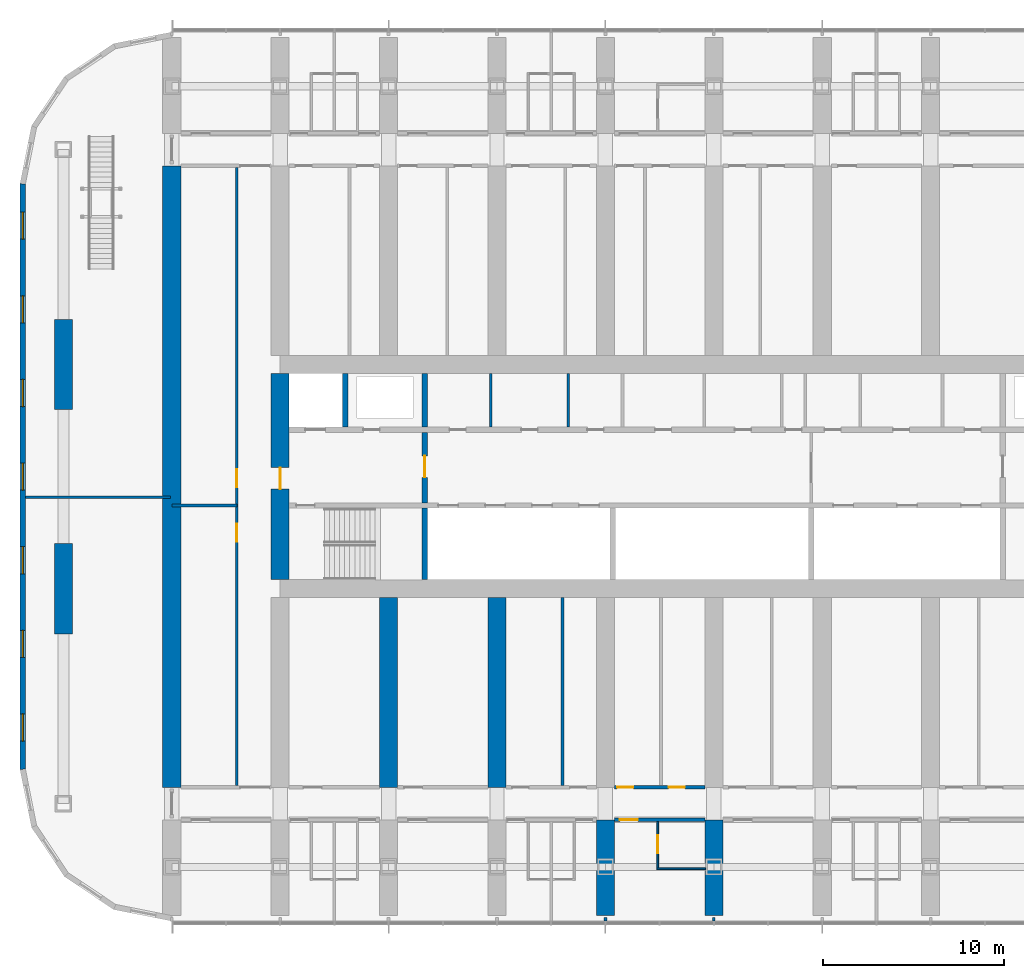
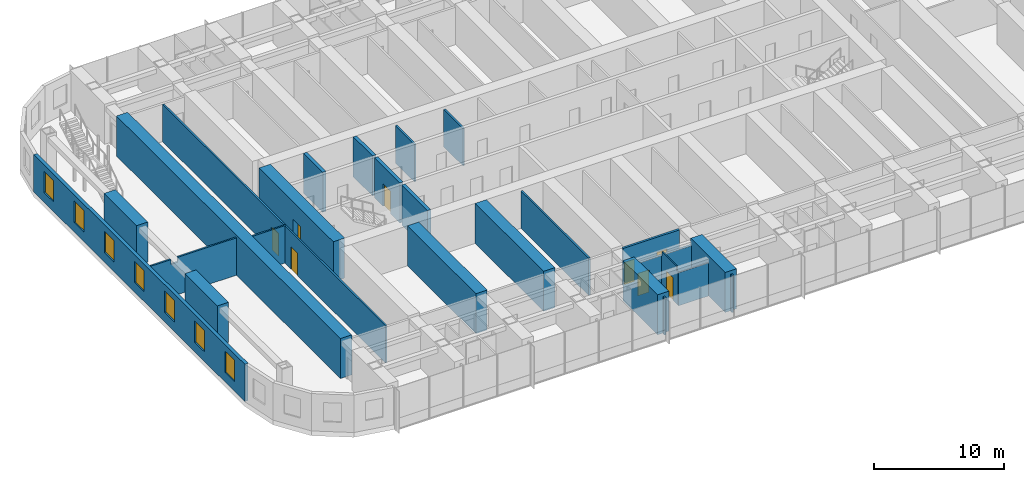
# One storey, part 13 of 26: 25 walls, 8 doors, 7 windows, 15 openings.
"""IFC4 building model written with IfcOpenShell, lengths in metres."""

from ifc_helpers import new_model, si_unit, direction, frame, frame_2d, origin, place, context, subcontext, project, spatial, polyline, rectangle, outline, extrude, material, layer, layer_set, type_object, element, fill, save


model = new_model("IFC4")

# Units and contexts
model_context = context("Model", 3, precision=1e-05, world=origin(), true_north=direction((0.0, 1.0)))
body_context = subcontext(model_context, "Body", "Model", "MODEL_VIEW")
ifc_project = project(units=[si_unit("LENGTHUNIT", "METRE"), si_unit("AREAUNIT", "SQUARE_METRE"), si_unit("VOLUMEUNIT", "CUBIC_METRE"), si_unit("PLANEANGLEUNIT", "RADIAN"), si_unit("MASSUNIT", "GRAM", prefix="KILO")], contexts=[model_context])

# Site, building, storey
site_placement = place(None, origin())
site = spatial("IfcSite", under=ifc_project, at=site_placement, CompositionType="ELEMENT")
building_placement = place(site_placement, origin())
building = spatial("IfcBuilding", under=site, at=building_placement, Name="Orbita Commons", CompositionType="ELEMENT")
storey_placement = place(building_placement, frame((0.0, 0.0, 53.949951171875)))
storey = spatial("IfcBuildingStorey", under=building, at=storey_placement, Name="L13", CompositionType="ELEMENT", Elevation=53.949951171875)

# Wall
ifc_material_1 = material(Name="Concrete C50/60", Category="concrete")
ifc_layer_1 = layer(ifc_material_1, 0.300048828125)
ifc_layer_set_1 = layer_set([ifc_layer_1], Name="Concrete C50/60")
wall_type_1 = type_object("IfcWallType", Name="Core inner wall 300 C50/60", PredefinedType="SHEAR", material=ifc_layer_set_1)
wall_1_placement = place(storey_placement, frame((26.0, 26.300048828125, 0.0), z_axis=(0.0, 0.0, 1.0), x_axis=(0.0, 1.0, 0.0)))
element("IfcWall", 1, at=wall_1_placement, inside=storey, type_object=wall_type_1, Name="Stair S1 wall L13", PredefinedType="SHEAR", context=body_context, shape_type="SweptSolid", body=[
    extrude(rectangle(XDim=3.949951171875, YDim=0.300048828125, at=frame_2d((1.97509765625, 0.0))), origin(), (0.0, 0.0, 1.0), 3.75),
])

# Wall, opening, door
wall_2_placement = place(storey_placement, frame((26.0, 30.550048828125, 0.0), z_axis=(0.0, 0.0, 1.0), x_axis=(0.0, 1.0, 0.0)))
wall_2 = element("IfcWall", 2, at=wall_2_placement, inside=storey, type_object=wall_type_1, Name="Firefighting lobby wall west L13", PredefinedType="SHEAR", context=body_context, shape_type="SweptSolid", body=[
    extrude(rectangle(XDim=3.89990234375, YDim=0.300048828125, at=frame_2d((1.949951171875, 0.0))), origin(), (0.0, 0.0, 1.0), 3.75),
])
opening_1_placement = place(wall_2_placement, frame((1.39990234375, 0.0, 0.0)))
opening_1 = element("IfcOpeningElement", 3, at=opening_1_placement, cuts=wall_2, Name="Opening D04", PredefinedType="OPENING", context=body_context, shape_type="SweptSolid", body=[
    extrude(rectangle(XDim=1.199951171875, YDim=2.10009765625, at=frame_2d((0.60009765625, 1.050048828125))), frame((0.0, 0.159912109375, 0.0), z_axis=(0.0, -1.0, 0.0), x_axis=(1.0, 0.0, 0.0)), (0.0, 0.0, 1.0), 0.320068359375),
])
ifc_material_2 = material(Name="Steel-faced fire door leaf", Category="steel")
door_type_1 = type_object("IfcDoorType", Name="Service door 20 min 1200x2100", OperationType="SINGLE_SWING_LEFT", PredefinedType="DOOR", material=ifc_material_2)
door_1_placement = place(opening_1_placement, origin())
door_1 = element("IfcDoor", 4, at=door_1_placement, inside=storey, type_object=door_type_1, Name="Lift lobby door west", OperationType="SINGLE_SWING_LEFT", OverallHeight=2.10009765625, OverallWidth=1.199951171875, PredefinedType="DOOR", context=body_context, shape_type="SweptSolid", body=[
    extrude(rectangle(XDim=1.199951171875, YDim=2.10009765625, at=frame_2d((0.60009765625, 1.050048828125))), frame((0.0, 0.02490234375, 0.0), z_axis=(0.0, -1.0, 0.0), x_axis=(1.0, 0.0, 0.0)), (0.0, 0.0, 1.0), 0.050048828125),
])
fill(opening_1, door_1)

# Walls
for number, where, z_axis, x_axis, name in (
    (5, (21.60009765625, 34.75, 0.0), (0.0, 0.0, 1.0), (0.0, 1.0, 0.0), "Firefighting lift FL1 shaft wall L13"),
    (6, (26.0, 34.75, 0.0), (0.0, 0.0, 1.0), (0.0, 1.0, 0.0), "Riser wall west L13"),
):
    element("IfcWall", number, at=place(storey_placement, frame(where, z_axis=z_axis, x_axis=x_axis)), inside=storey, type_object=wall_type_1, Name=name, PredefinedType="SHEAR", context=body_context, shape_type="SweptSolid", body=[
        extrude(rectangle(XDim=2.949951171875, YDim=0.300048828125, at=frame_2d((1.47509765625, 0.0))), origin(), (0.0, 0.0, 1.0), 3.75),
    ])
ifc_material_3 = material(Name="Concrete blockwork", Category="masonry")
ifc_layer_2 = layer(ifc_material_3, 0.14990234375)
ifc_layer_set_2 = layer_set([ifc_layer_2], Name="Concrete blockwork")
wall_type_2 = type_object("IfcWallType", Name="Core partition 150 blockwork", PredefinedType="SOLIDWALL", material=ifc_layer_set_2)
for number, where, z_axis, x_axis, name in (
    (7, (29.65087890625, 34.75, 0.0), (0.0, 0.0, 1.0), (0.0, 1.0, 0.0), "Core partition 150 blockwork L13"),
    (8, (33.9462890625, 34.75, 0.0), (0.0, 0.0, 1.0), (0.0, 1.0, 0.0), "Core partition 150 blockwork L13"),
):
    element("IfcWall", number, at=place(storey_placement, frame(where, z_axis=z_axis, x_axis=x_axis)), inside=storey, type_object=wall_type_2, Name=name, PredefinedType="SOLIDWALL", context=body_context, shape_type="SweptSolid", body=[
        extrude(rectangle(XDim=2.949951171875, YDim=0.14990234375, at=frame_2d((1.47509765625, 0.0))), origin(), (0.0, 0.0, 1.0), 3.5),
    ])

# Wall, opening, door
ifc_material_4 = material(Name="Concrete C50/60", Category="concrete")
ifc_layer_3 = layer(ifc_material_4, 1.0)
ifc_layer_set_3 = layer_set([ifc_layer_3], Name="Concrete C50/60")
wall_type_3 = type_object("IfcWallType", Name="Core wall 1000 C50/60", PredefinedType="SHEAR", material=ifc_layer_set_3)
wall_3_placement = place(storey_placement, frame((18.0, 26.300048828125, 0.0), z_axis=(0.0, 0.0, 1.0), x_axis=(0.0, 1.0, 0.0)))
wall_3 = element("IfcWall", 9, at=wall_3_placement, inside=storey, type_object=wall_type_3, Name="Core end wall west L13", PredefinedType="SHEAR", context=body_context, shape_type="SweptSolid", body=[
    extrude(rectangle(XDim=11.39990234375, YDim=1.0, at=frame_2d((5.699951171875, 0.0))), origin(), (0.0, 0.0, 1.0), 3.75),
])
opening_2_placement = place(wall_3_placement, frame((5.0, 0.0, 0.0)))
opening_2 = element("IfcOpeningElement", 10, at=opening_2_placement, cuts=wall_3, Name="Opening D01", PredefinedType="OPENING", context=body_context, shape_type="SweptSolid", body=[
    extrude(rectangle(XDim=1.199951171875, YDim=2.10009765625, at=frame_2d((0.60009765625, 1.050048828125))), frame((0.0, 0.510009765625, 0.0), z_axis=(0.0, -1.0, 0.0), x_axis=(1.0, 0.0, 0.0)), (0.0, 0.0, 1.0), 1.02001953125),
])
ifc_material_5 = material(Name="Steel-faced fire door leaf", Category="steel")
door_type_2 = type_object("IfcDoorType", Name="Fire door 90 min 1200x2100", OperationType="SINGLE_SWING_LEFT", PredefinedType="DOOR", material=ifc_material_5)
door_2_placement = place(opening_2_placement, origin())
door_2 = element("IfcDoor", 11, at=door_2_placement, inside=storey, type_object=door_type_2, Name="Firefighting lobby west door", OperationType="SINGLE_SWING_LEFT", OverallHeight=2.10009765625, OverallWidth=1.199951171875, PredefinedType="DOOR", context=body_context, shape_type="SweptSolid", body=[
    extrude(rectangle(XDim=1.199951171875, YDim=2.10009765625, at=frame_2d((0.60009765625, 1.050048828125))), frame((0.0, 0.02490234375, 0.0), z_axis=(0.0, -1.0, 0.0), x_axis=(1.0, 0.0, 0.0)), (0.0, 0.0, 1.0), 0.050048828125),
])
fill(opening_2, door_2)

ifc_material_6 = material(Name="Concrete blockwork", Category="masonry")
ifc_layer_4 = layer(ifc_material_6, 0.199951171875)
ifc_layer_set_4 = layer_set([ifc_layer_4], Name="Concrete blockwork")
wall_type_4 = type_object("IfcWallType", Name="Corridor wall 200 blockwork", PredefinedType="SOLIDWALL", material=ifc_layer_set_4)
wall_4_placement = place(storey_placement, frame((36.5, 13.0, 0.0), z_axis=(0.0, 0.0, 1.0), x_axis=(1.0, 0.0, 0.0)))
wall_4 = element("IfcWall", 12, at=wall_4_placement, inside=storey, type_object=wall_type_4, Name="Corridor wall 200 blockwork L13", PredefinedType="SOLIDWALL", context=body_context, shape_type="SweptSolid", body=[
    extrude(outline(polyline([(0.0, 0.0), (5.0, 0.0), (5.0, 3.10009765625), (0.0, 3.10009765625), (0.0, 0.0)])), frame((0.0, 0.10009765625, 0.0), z_axis=(0.0, -1.0, 0.0), x_axis=(1.0, 0.0, 0.0)), (0.0, 0.0, 1.0), 0.199951171875),
])
opening_3_placement = place(wall_4_placement, frame((0.300048828125, 0.0, 0.0)))
opening_3 = element("IfcOpeningElement", 13, at=opening_3_placement, cuts=wall_4, Name="Opening D06", PredefinedType="OPENING", context=body_context, shape_type="SweptSolid", body=[
    extrude(rectangle(XDim=1.0, YDim=2.10009765625, at=frame_2d((0.5, 1.050048828125))), frame((0.0, 0.10986328125, 0.0), z_axis=(0.0, -1.0, 0.0), x_axis=(1.0, 0.0, 0.0)), (0.0, 0.0, 1.0), 0.219970703125),
])
ifc_material_7 = material(Name="Steel-faced fire door leaf", Category="steel")
door_type_3 = type_object("IfcDoorType", Name="Corridor door 20 min 1000x2100", OperationType="SINGLE_SWING_LEFT", PredefinedType="DOOR", material=ifc_material_7)
door_3_placement = place(opening_3_placement, origin())
door_3 = element("IfcDoor", 14, at=door_3_placement, inside=storey, type_object=door_type_3, Name="Accessible bedroom L13-S08 door", OperationType="SINGLE_SWING_LEFT", OverallHeight=2.10009765625, OverallWidth=1.0, PredefinedType="DOOR", context=body_context, shape_type="SweptSolid", body=[
    extrude(rectangle(XDim=1.0, YDim=2.10009765625, at=frame_2d((0.5, 1.050048828125))), frame((0.0, 0.02490234375, 0.0), z_axis=(0.0, -1.0, 0.0), x_axis=(1.0, 0.0, 0.0)), (0.0, 0.0, 1.0), 0.050048828125),
])
fill(opening_3, door_3)

# Wall, openings, doors
ifc_material_8 = material(Name="Hollow concrete block 200", Category="concrete")
ifc_layer_5 = layer(ifc_material_8, 0.199951171875)
ifc_layer_set_5 = layer_set([ifc_layer_5], Name="Hollow concrete block 200")
wall_type_5 = type_object("IfcWallType", Name="Corridor wall 200 hollow concrete block", PredefinedType="SOLIDWALL", material=ifc_layer_set_5)
wall_5_placement = place(storey_placement, frame((36.5, 14.800048828125, 0.0), z_axis=(0.0, 0.0, 1.0), x_axis=(1.0, 0.0, 0.0)))
wall_5 = element("IfcWall", 15, at=wall_5_placement, inside=storey, type_object=wall_type_5, Name="Corridor wall 200 hollow concrete block L13", PredefinedType="SOLIDWALL", context=body_context, shape_type="SweptSolid", body=[
    extrude(rectangle(XDim=5.0, YDim=0.199951171875, at=frame_2d((2.5, 0.0))), origin(), (0.0, 0.0, 1.0), 3.5),
])
opening_4_placement = place(wall_5_placement, frame((0.14990234375, 0.0, 0.0)))
opening_4 = element("IfcOpeningElement", 16, at=opening_4_placement, cuts=wall_5, Name="Opening D11", PredefinedType="OPENING", context=body_context, shape_type="SweptSolid", body=[
    extrude(rectangle(XDim=0.89990234375, YDim=2.10009765625, at=frame_2d((0.449951171875, 1.050048828125))), frame((0.0, 0.10986328125, 0.0), z_axis=(0.0, -1.0, 0.0), x_axis=(1.0, 0.0, 0.0)), (0.0, 0.0, 1.0), 0.219970703125),
])
opening_5_placement = place(wall_5_placement, frame((3.0, 0.0, 0.0)))
opening_5 = element("IfcOpeningElement", 17, at=opening_5_placement, cuts=wall_5, Name="Opening D11", PredefinedType="OPENING", context=body_context, shape_type="SweptSolid", body=[
    extrude(rectangle(XDim=0.89990234375, YDim=2.10009765625, at=frame_2d((0.449951171875, 1.050048828125))), frame((0.0, 0.10986328125, 0.0), z_axis=(0.0, -1.0, 0.0), x_axis=(1.0, 0.0, 0.0)), (0.0, 0.0, 1.0), 0.219970703125),
])
ifc_material_9 = material(Name="Steel-faced fire door leaf", Category="steel")
door_type_4 = type_object("IfcDoorType", Name="Corridor door 20 min 900x2100", OperationType="SINGLE_SWING_LEFT", PredefinedType="DOOR", material=ifc_material_9)
door_4_placement = place(opening_4_placement, origin())
door_4 = element("IfcDoor", 18, at=door_4_placement, inside=storey, type_object=door_type_4, Name="Water heater cupboard L13-BDS36n door", OperationType="SINGLE_SWING_LEFT", OverallHeight=2.10009765625, OverallWidth=0.89990234375, PredefinedType="DOOR", context=body_context, shape_type="SweptSolid", body=[
    extrude(rectangle(XDim=0.89990234375, YDim=2.10009765625, at=frame_2d((0.449951171875, 1.050048828125))), frame((0.0, 0.02490234375, 0.0), z_axis=(0.0, -1.0, 0.0), x_axis=(1.0, 0.0, 0.0)), (0.0, 0.0, 1.0), 0.050048828125),
])
fill(opening_4, door_4)
door_5_placement = place(opening_5_placement, origin())
door_5 = element("IfcDoor", 19, at=door_5_placement, inside=storey, type_object=door_type_4, Name="Music practice room L13-BDS36 door", OperationType="SINGLE_SWING_LEFT", OverallHeight=2.10009765625, OverallWidth=0.89990234375, PredefinedType="DOOR", context=body_context, shape_type="SweptSolid", body=[
    extrude(rectangle(XDim=0.89990234375, YDim=2.10009765625, at=frame_2d((0.449951171875, 1.050048828125))), frame((0.0, 0.02490234375, 0.0), z_axis=(0.0, -1.0, 0.0), x_axis=(1.0, 0.0, 0.0)), (0.0, 0.0, 1.0), 0.050048828125),
])
fill(opening_5, door_5)

# Walls
ifc_material_10 = material(Name="Concrete C50/60", Category="concrete")
ifc_layer_6 = layer(ifc_material_10, 1.0)
ifc_layer_set_6 = layer_set([ifc_layer_6], Name="Concrete C50/60")
wall_type_6 = type_object("IfcWallType", Name="Cross wall 1000 C50/60", PredefinedType="SHEAR", material=ifc_layer_set_6)
wall_6_placement = place(storey_placement, frame((12.0, 14.800048828125, 0.0), z_axis=(0.0, 0.0, 1.0), x_axis=(0.0, 1.0, 0.0)))
element("IfcWall", 20, at=wall_6_placement, inside=storey, type_object=wall_type_6, Name="Cross wall 3 inner L13", PredefinedType="SHEAR", context=body_context, shape_type="SweptSolid", body=[
    extrude(rectangle(XDim=34.39990234375, YDim=1.0, at=frame_2d((17.199951171875, 0.0))), origin(), (0.0, 0.0, 1.0), 3.75),
])
for number, where, z_axis, x_axis, name in (
    (21, (24.0, 14.800048828125, 0.0), (0.0, 0.0, 1.0), (0.0, 1.0, 0.0), "Cross wall 5 south inner L13"),
    (22, (30.0, 14.800048828125, 0.0), (0.0, 0.0, 1.0), (0.0, 1.0, 0.0), "Cross wall 6 south inner L13"),
):
    element("IfcWall", number, at=place(storey_placement, frame(where, z_axis=z_axis, x_axis=x_axis)), inside=storey, type_object=wall_type_6, Name=name, PredefinedType="SHEAR", context=body_context, shape_type="SweptSolid", body=[
        extrude(rectangle(XDim=10.5, YDim=1.0, at=frame_2d((5.25, 0.0))), origin(), (0.0, 0.0, 1.0), 3.75),
    ])
for number, where, z_axis, x_axis, name in (
    (23, (36.0, 7.699951171875, 0.0), (0.0, 0.0, 1.0), (0.0, 1.0, 0.0), "Cross wall 7 south outer L13"),
    (24, (42.0, 7.699951171875, 0.0), (0.0, 0.0, 1.0), (0.0, 1.0, 0.0), "Cross wall 8 south outer L13"),
):
    element("IfcWall", number, at=place(storey_placement, frame(where, z_axis=z_axis, x_axis=x_axis)), inside=storey, type_object=wall_type_6, Name=name, PredefinedType="SHEAR", context=body_context, shape_type="SweptSolid", body=[
        extrude(rectangle(XDim=5.300048828125, YDim=1.0, at=frame_2d((2.64990234375, 0.0))), origin(), (0.0, 0.0, 1.0), 3.75),
    ])
ifc_material_11 = material(Name="Moisture-resistant plasterboard on steel studs", Category="steel")
ifc_layer_7 = layer(ifc_material_11, 0.10009765625)
ifc_layer_set_7 = layer_set([ifc_layer_7], Name="Moisture-resistant plasterboard on steel studs")
wall_type_7 = type_object("IfcWallType", Name="En-suite partition 100", PredefinedType="PARTITIONING", material=ifc_layer_set_7)
wall_7_placement = place(storey_placement, frame((38.85009765625, 10.300048828125, 0.0), z_axis=(0.0, 0.0, 1.0), x_axis=(1.0, 0.0, 0.0)))
element("IfcWall", 25, at=wall_7_placement, inside=storey, type_object=wall_type_7, Name="En-suite partition 100 L13", PredefinedType="PARTITIONING", context=body_context, shape_type="SweptSolid", body=[
    extrude(outline(polyline([(0.0, 0.0), (2.699951171875, 0.0), (2.699951171875, 3.10009765625), (0.0, 3.10009765625), (0.0, 0.0)])), frame((0.0, 0.050048828125, 0.0), z_axis=(0.0, -1.0, 0.0), x_axis=(1.0, 0.0, 0.0)), (0.0, 0.0, 1.0), 0.10009765625),
])

# Wall, opening, door
wall_8_placement = place(storey_placement, frame((38.89990234375, 10.35009765625, 0.0), z_axis=(0.0, 0.0, 1.0), x_axis=(0.0, 1.0, 0.0)))
wall_8 = element("IfcWall", 26, at=wall_8_placement, inside=storey, type_object=wall_type_7, Name="En-suite partition 100 L13", PredefinedType="PARTITIONING", context=body_context, shape_type="SweptSolid", body=[
    extrude(outline(polyline([(0.0, 0.0), (2.5498046875, 0.0), (2.550048828125, 3.10009765625), (2.501953125, 3.10009765625), (2.5, 3.5), (0.251953125, 3.5), (0.25, 3.10009765625), (0.0, 3.10009765625), (0.0, 0.0)])), frame((0.0, 0.050048828125, 0.0), z_axis=(0.0, -1.0, 0.0), x_axis=(1.0, 0.0, 0.0)), (0.0, 0.0, 1.0), 0.10009765625),
])
opening_6_placement = place(wall_8_placement, frame((0.800048828125, 0.0, 0.0)))
opening_6 = element("IfcOpeningElement", 27, at=opening_6_placement, cuts=wall_8, Name="Opening D13", PredefinedType="OPENING", context=body_context, shape_type="SweptSolid", body=[
    extrude(rectangle(XDim=1.0, YDim=2.10009765625, at=frame_2d((0.5, 1.050048828125))), frame((0.0, 0.06005859375, 0.0), z_axis=(0.0, -1.0, 0.0), x_axis=(1.0, 0.0, 0.0)), (0.0, 0.0, 1.0), 0.1201171875),
])
ifc_material_12 = material(Name="Laminated timber door leaf", Category="wood")
door_type_5 = type_object("IfcDoorType", Name="En-suite door 1000x2100", OperationType="SINGLE_SWING_RIGHT", PredefinedType="DOOR", material=ifc_material_12)
door_6_placement = place(opening_6_placement, origin())
door_6 = element("IfcDoor", 28, at=door_6_placement, inside=storey, type_object=door_type_5, Name="Accessible shower room L13-S08 door", OperationType="SINGLE_SWING_RIGHT", OverallHeight=2.10009765625, OverallWidth=1.0, PredefinedType="DOOR", context=body_context, shape_type="SweptSolid", body=[
    extrude(rectangle(XDim=1.0, YDim=2.10009765625, at=frame_2d((0.5, 1.050048828125))), frame((0.0, 0.02490234375, 0.0), z_axis=(0.0, -1.0, 0.0), x_axis=(1.0, 0.0, 0.0)), (0.0, 0.0, 1.0), 0.050048828125),
])
fill(opening_6, door_6)

# Walls
ifc_material_13 = material(Name="Concrete C50/60", Category="concrete")
ifc_layer_8 = layer(ifc_material_13, 1.0)
ifc_layer_set_8 = layer_set([ifc_layer_8], Name="Concrete C50/60")
wall_type_8 = type_object("IfcWallType", Name="End pier 1000x5000 C50/60", PredefinedType="SHEAR", material=ifc_layer_set_8)
for number, where, z_axis, x_axis, name in (
    (29, (6.0, 23.300048828125, 0.0), (0.0, 0.0, 1.0), (0.0, 1.0, 0.0), "End pier 2/C L13"),
    (30, (6.0, 35.699951171875, 0.0), (0.0, 0.0, 1.0), (0.0, 1.0, 0.0), "End pier 2/D L13"),
):
    element("IfcWall", number, at=place(storey_placement, frame(where, z_axis=z_axis, x_axis=x_axis)), inside=storey, type_object=wall_type_8, Name=name, PredefinedType="SHEAR", context=body_context, shape_type="SweptSolid", body=[
        extrude(rectangle(XDim=5.0, YDim=1.0, at=frame_2d((2.5, 0.0))), origin(), (0.0, 0.0, 1.0), 3.75),
    ])
ifc_material_14 = material(Name="Gypsum plasterboard on steel studs", Category="steel")
ifc_layer_9 = layer(ifc_material_14, 0.14990234375)
ifc_layer_set_9 = layer_set([ifc_layer_9], Name="Gypsum plasterboard on steel studs")
wall_type_9 = type_object("IfcWallType", Name="Partition 150 plasterboard", PredefinedType="PARTITIONING", material=ifc_layer_set_9)
wall_9_placement = place(storey_placement, frame((33.625, 14.89990234375, 0.0), z_axis=(0.0, 0.0, 1.0), x_axis=(0.0, 1.0, 0.0)))
element("IfcWall", 31, at=wall_9_placement, inside=storey, type_object=wall_type_9, Name="Partition 150 plasterboard L13", PredefinedType="PARTITIONING", context=body_context, shape_type="SweptSolid", body=[
    extrude(rectangle(XDim=10.400146484375, YDim=0.14990234375, at=frame_2d((5.2001953125, 0.0))), origin(), (0.0, 0.0, 1.0), 3.5),
])

# Wall, openings, doors
wall_10_placement = place(storey_placement, frame((15.60009765625, 14.89990234375, 0.0), z_axis=(0.0, 0.0, 1.0), x_axis=(0.0, 1.0, 0.0)))
wall_10 = element("IfcWall", 32, at=wall_10_placement, inside=storey, type_object=wall_type_9, Name="Partition 150 plasterboard L13", PredefinedType="PARTITIONING", context=body_context, shape_type="SweptSolid", body=[
    extrude(rectangle(XDim=34.2001953125, YDim=0.14990234375, at=frame_2d((17.10009765625, 0.0))), origin(), (0.0, 0.0, 1.0), 3.5),
])
opening_7_placement = place(wall_10_placement, frame((13.5, 0.0, 0.0)))
opening_7 = element("IfcOpeningElement", 33, at=opening_7_placement, cuts=wall_10, Name="Opening D06", PredefinedType="OPENING", context=body_context, shape_type="SweptSolid", body=[
    extrude(rectangle(XDim=1.0, YDim=2.10009765625, at=frame_2d((0.5, 1.050048828125))), frame((0.0, 0.0849609375, 0.0), z_axis=(0.0, -1.0, 0.0), x_axis=(1.0, 0.0, 0.0)), (0.0, 0.0, 1.0), 0.169921875),
])
opening_8_placement = place(wall_10_placement, frame((16.5, 0.0, 0.0)))
opening_8 = element("IfcOpeningElement", 34, at=opening_8_placement, cuts=wall_10, Name="Opening D06", PredefinedType="OPENING", context=body_context, shape_type="SweptSolid", body=[
    extrude(rectangle(XDim=1.0, YDim=2.10009765625, at=frame_2d((0.5, 1.050048828125))), frame((0.0, 0.0849609375, 0.0), z_axis=(0.0, -1.0, 0.0), x_axis=(1.0, 0.0, 0.0)), (0.0, 0.0, 1.0), 0.169921875),
])
door_7_placement = place(opening_7_placement, origin())
door_7 = element("IfcDoor", 35, at=door_7_placement, inside=storey, type_object=door_type_3, Name="Quiet room door", OperationType="SINGLE_SWING_LEFT", OverallHeight=2.10009765625, OverallWidth=1.0, PredefinedType="DOOR", context=body_context, shape_type="SweptSolid", body=[
    extrude(rectangle(XDim=1.0, YDim=2.10009765625, at=frame_2d((0.5, 1.050048828125))), frame((0.0, 0.02490234375, 0.0), z_axis=(0.0, -1.0, 0.0), x_axis=(1.0, 0.0, 0.0)), (0.0, 0.0, 1.0), 0.050048828125),
])
fill(opening_7, door_7)
door_8_placement = place(opening_8_placement, origin())
door_8 = element("IfcDoor", 36, at=door_8_placement, inside=storey, type_object=door_type_3, Name="Meeting room door", OperationType="SINGLE_SWING_LEFT", OverallHeight=2.10009765625, OverallWidth=1.0, PredefinedType="DOOR", context=body_context, shape_type="SweptSolid", body=[
    extrude(rectangle(XDim=1.0, YDim=2.10009765625, at=frame_2d((0.5, 1.050048828125))), frame((0.0, 0.02490234375, 0.0), z_axis=(0.0, -1.0, 0.0), x_axis=(1.0, 0.0, 0.0)), (0.0, 0.0, 1.0), 0.050048828125),
])
fill(opening_8, door_8)

# Walls
wall_11_placement = place(storey_placement, frame((12.0, 30.39990234375, 0.0), z_axis=(0.0, 0.0, 1.0), x_axis=(1.0, 0.0, 0.0)))
element("IfcWall", 37, at=wall_11_placement, inside=storey, type_object=wall_type_9, Name="Partition 150 plasterboard L13", PredefinedType="PARTITIONING", context=body_context, shape_type="SweptSolid", body=[
    extrude(rectangle(XDim=3.60009765625, YDim=0.14990234375, at=frame_2d((1.800048828125, 0.0))), origin(), (0.0, 0.0, 1.0), 3.5),
])
wall_12_placement = place(storey_placement, frame((3.905029296875, 30.85009765625, 0.0), z_axis=(0.0, 0.0, 1.0), x_axis=(1.0, 0.0, 0.0)))
element("IfcWall", 38, at=wall_12_placement, inside=storey, type_object=wall_type_9, Name="Partition 150 plasterboard L13", PredefinedType="PARTITIONING", context=body_context, shape_type="SweptSolid", body=[
    extrude(outline(polyline([(0.0, 0.0), (8.02001953125, 0.0), (8.02001953125, 3.5), (2.39697265625, 3.5), (2.39501953125, 3.050048828125), (1.797119140625, 3.050048828125), (1.794921875, 3.5), (0.0, 3.5), (0.0, 0.0)])), frame((0.0, 0.074951171875, 0.0), z_axis=(0.0, -1.0, 0.0), x_axis=(1.0, 0.0, 0.0)), (0.0, 0.0, 1.0), 0.14990234375),
])
for number, where, z_axis, x_axis, name in (
    (39, (36.0, 7.60009765625, 0.0), (0.0, 0.0, 1.0), (0.0, -1.0, 0.0), "Partition 150 plasterboard L13"),
    (40, (42.0, 7.60009765625, 0.0), (0.0, 0.0, 1.0), (0.0, -1.0, 0.0), "Partition 150 plasterboard L13"),
):
    element("IfcWall", number, at=place(storey_placement, frame(where, z_axis=z_axis, x_axis=x_axis)), inside=storey, type_object=wall_type_9, Name=name, PredefinedType="PARTITIONING", context=body_context, shape_type="SweptSolid", body=[
        extrude(rectangle(XDim=0.190185546875, YDim=0.14990234375, at=frame_2d((0.09521484375, 0.0))), origin(), (0.0, 0.0, 1.0), 3.5),
    ])

# Wall, openings, windows
ifc_material_15 = material(Name="Precast concrete C40/50, white board-marked finish", Category="concrete")
ifc_layer_10 = layer(ifc_material_15, 0.300048828125)
ifc_layer_set_10 = layer_set([ifc_layer_10], Name="Precast concrete C40/50, white board-marked finish")
wall_type_10 = type_object("IfcWallType", Name="Precast concrete end shield 300", PredefinedType="SOLIDWALL", material=ifc_layer_set_10)
wall_13_placement = place(storey_placement, frame((3.75, 48.199951171875, 0.0), z_axis=(0.0, 0.0, 1.0), x_axis=(0.0, -1.0, 0.0)))
wall_13 = element("IfcWall", 41, at=wall_13_placement, inside=storey, type_object=wall_type_10, Name="End shield W L13", PredefinedType="SOLIDWALL", context=body_context, shape_type="SweptSolid", body=[
    extrude(outline(polyline([(-0.014892578125, -0.14990234375), (32.414794921875, -0.14990234375), (32.385009765625, 0.14990234375), (0.014892578125, 0.14990234375), (-0.014892578125, -0.14990234375)])), origin(), (0.0, 0.0, 1.0), 3.5),
])
opening_9_placement = place(wall_13_placement, frame((1.564208984375, 0.0, 0.89990234375)))
opening_9 = element("IfcOpeningElement", 42, at=opening_9_placement, cuts=wall_13, Name="Opening W01", PredefinedType="OPENING", context=body_context, shape_type="SweptSolid", body=[
    extrude(rectangle(XDim=1.5, YDim=2.0, at=frame_2d((0.75, 1.0))), frame((0.0, 0.159912109375, 0.0), z_axis=(0.0, -1.0, 0.0), x_axis=(1.0, 0.0, 0.0)), (0.0, 0.0, 1.0), 0.320068359375),
])
opening_10_placement = place(wall_13_placement, frame((6.19287109375, 0.0, 0.89990234375)))
opening_10 = element("IfcOpeningElement", 43, at=opening_10_placement, cuts=wall_13, Name="Opening W01", PredefinedType="OPENING", context=body_context, shape_type="SweptSolid", body=[
    extrude(rectangle(XDim=1.5, YDim=2.0, at=frame_2d((0.75, 1.0))), frame((0.0, 0.159912109375, 0.0), z_axis=(0.0, -1.0, 0.0), x_axis=(1.0, 0.0, 0.0)), (0.0, 0.0, 1.0), 0.320068359375),
])
opening_11_placement = place(wall_13_placement, frame((10.821533203125, 0.0, 0.89990234375)))
opening_11 = element("IfcOpeningElement", 44, at=opening_11_placement, cuts=wall_13, Name="Opening W01", PredefinedType="OPENING", context=body_context, shape_type="SweptSolid", body=[
    extrude(rectangle(XDim=1.5, YDim=2.0, at=frame_2d((0.75, 1.0))), frame((0.0, 0.159912109375, 0.0), z_axis=(0.0, -1.0, 0.0), x_axis=(1.0, 0.0, 0.0)), (0.0, 0.0, 1.0), 0.320068359375),
])
opening_12_placement = place(wall_13_placement, frame((15.449951171875, 0.0, 0.89990234375)))
opening_12 = element("IfcOpeningElement", 45, at=opening_12_placement, cuts=wall_13, Name="Opening W01", PredefinedType="OPENING", context=body_context, shape_type="SweptSolid", body=[
    extrude(rectangle(XDim=1.5, YDim=2.0, at=frame_2d((0.75, 1.0))), frame((0.0, 0.159912109375, 0.0), z_axis=(0.0, -1.0, 0.0), x_axis=(1.0, 0.0, 0.0)), (0.0, 0.0, 1.0), 0.320068359375),
])
opening_13_placement = place(wall_13_placement, frame((20.07861328125, 0.0, 0.89990234375)))
opening_13 = element("IfcOpeningElement", 46, at=opening_13_placement, cuts=wall_13, Name="Opening W01", PredefinedType="OPENING", context=body_context, shape_type="SweptSolid", body=[
    extrude(rectangle(XDim=1.5, YDim=2.0, at=frame_2d((0.75, 1.0))), frame((0.0, 0.159912109375, 0.0), z_axis=(0.0, -1.0, 0.0), x_axis=(1.0, 0.0, 0.0)), (0.0, 0.0, 1.0), 0.320068359375),
])
opening_14_placement = place(wall_13_placement, frame((24.70703125, 0.0, 0.89990234375)))
opening_14 = element("IfcOpeningElement", 47, at=opening_14_placement, cuts=wall_13, Name="Opening W01", PredefinedType="OPENING", context=body_context, shape_type="SweptSolid", body=[
    extrude(rectangle(XDim=1.5, YDim=2.0, at=frame_2d((0.75, 1.0))), frame((0.0, 0.159912109375, 0.0), z_axis=(0.0, -1.0, 0.0), x_axis=(1.0, 0.0, 0.0)), (0.0, 0.0, 1.0), 0.320068359375),
])
opening_15_placement = place(wall_13_placement, frame((29.335693359375, 0.0, 0.89990234375)))
opening_15 = element("IfcOpeningElement", 48, at=opening_15_placement, cuts=wall_13, Name="Opening W01", PredefinedType="OPENING", context=body_context, shape_type="SweptSolid", body=[
    extrude(rectangle(XDim=1.5, YDim=2.0, at=frame_2d((0.75, 1.0))), frame((0.0, 0.159912109375, 0.0), z_axis=(0.0, -1.0, 0.0), x_axis=(1.0, 0.0, 0.0)), (0.0, 0.0, 1.0), 0.320068359375),
])
ifc_material_16 = material(Name="Aluminium frame, clear double glazing", Category="aluminium")
window_type = type_object("IfcWindowType", Name="Deep-set window 1500x2000", PartitioningType="SINGLE_PANEL", PredefinedType="WINDOW", material=ifc_material_16)
window_1_placement = place(opening_9_placement, origin())
window_1 = element("IfcWindow", 49, at=window_1_placement, inside=storey, type_object=window_type, Name="Window L13-W 1", OverallHeight=2.0, OverallWidth=1.5, PartitioningType="SINGLE_PANEL", PredefinedType="WINDOW", context=body_context, shape_type="SweptSolid", body=[
    extrude(rectangle(XDim=1.5, YDim=2.0, at=frame_2d((0.75, 1.0))), frame((0.0, 0.030029296875, 0.0), z_axis=(0.0, -1.0, 0.0), x_axis=(1.0, 0.0, 0.0)), (0.0, 0.0, 1.0), 0.06005859375),
])
fill(opening_9, window_1)
window_2_placement = place(opening_10_placement, origin())
window_2 = element("IfcWindow", 50, at=window_2_placement, inside=storey, type_object=window_type, Name="Window L13-W 2", OverallHeight=2.0, OverallWidth=1.5, PartitioningType="SINGLE_PANEL", PredefinedType="WINDOW", context=body_context, shape_type="SweptSolid", body=[
    extrude(rectangle(XDim=1.5, YDim=2.0, at=frame_2d((0.75, 1.0))), frame((0.0, 0.030029296875, 0.0), z_axis=(0.0, -1.0, 0.0), x_axis=(1.0, 0.0, 0.0)), (0.0, 0.0, 1.0), 0.06005859375),
])
fill(opening_10, window_2)
window_3_placement = place(opening_11_placement, origin())
window_3 = element("IfcWindow", 51, at=window_3_placement, inside=storey, type_object=window_type, Name="Window L13-W 3", OverallHeight=2.0, OverallWidth=1.5, PartitioningType="SINGLE_PANEL", PredefinedType="WINDOW", context=body_context, shape_type="SweptSolid", body=[
    extrude(rectangle(XDim=1.5, YDim=2.0, at=frame_2d((0.75, 1.0))), frame((0.0, 0.030029296875, 0.0), z_axis=(0.0, -1.0, 0.0), x_axis=(1.0, 0.0, 0.0)), (0.0, 0.0, 1.0), 0.06005859375),
])
fill(opening_11, window_3)
window_4_placement = place(opening_12_placement, origin())
window_4 = element("IfcWindow", 52, at=window_4_placement, inside=storey, type_object=window_type, Name="Window L13-W 4", OverallHeight=2.0, OverallWidth=1.5, PartitioningType="SINGLE_PANEL", PredefinedType="WINDOW", context=body_context, shape_type="SweptSolid", body=[
    extrude(rectangle(XDim=1.5, YDim=2.0, at=frame_2d((0.75, 1.0))), frame((0.0, 0.030029296875, 0.0), z_axis=(0.0, -1.0, 0.0), x_axis=(1.0, 0.0, 0.0)), (0.0, 0.0, 1.0), 0.06005859375),
])
fill(opening_12, window_4)
window_5_placement = place(opening_13_placement, origin())
window_5 = element("IfcWindow", 53, at=window_5_placement, inside=storey, type_object=window_type, Name="Window L13-W 5", OverallHeight=2.0, OverallWidth=1.5, PartitioningType="SINGLE_PANEL", PredefinedType="WINDOW", context=body_context, shape_type="SweptSolid", body=[
    extrude(rectangle(XDim=1.5, YDim=2.0, at=frame_2d((0.75, 1.0))), frame((0.0, 0.030029296875, 0.0), z_axis=(0.0, -1.0, 0.0), x_axis=(1.0, 0.0, 0.0)), (0.0, 0.0, 1.0), 0.06005859375),
])
fill(opening_13, window_5)
window_6_placement = place(opening_14_placement, origin())
window_6 = element("IfcWindow", 54, at=window_6_placement, inside=storey, type_object=window_type, Name="Window L13-W 6", OverallHeight=2.0, OverallWidth=1.5, PartitioningType="SINGLE_PANEL", PredefinedType="WINDOW", context=body_context, shape_type="SweptSolid", body=[
    extrude(rectangle(XDim=1.5, YDim=2.0, at=frame_2d((0.75, 1.0))), frame((0.0, 0.030029296875, 0.0), z_axis=(0.0, -1.0, 0.0), x_axis=(1.0, 0.0, 0.0)), (0.0, 0.0, 1.0), 0.06005859375),
])
fill(opening_14, window_6)
window_7_placement = place(opening_15_placement, origin())
window_7 = element("IfcWindow", 55, at=window_7_placement, inside=storey, type_object=window_type, Name="Window L13-W 7", OverallHeight=2.0, OverallWidth=1.5, PartitioningType="SINGLE_PANEL", PredefinedType="WINDOW", context=body_context, shape_type="SweptSolid", body=[
    extrude(rectangle(XDim=1.5, YDim=2.0, at=frame_2d((0.75, 1.0))), frame((0.0, 0.030029296875, 0.0), z_axis=(0.0, -1.0, 0.0), x_axis=(1.0, 0.0, 0.0)), (0.0, 0.0, 1.0), 0.06005859375),
])
fill(opening_15, window_7)

save(model, "model.ifc")
